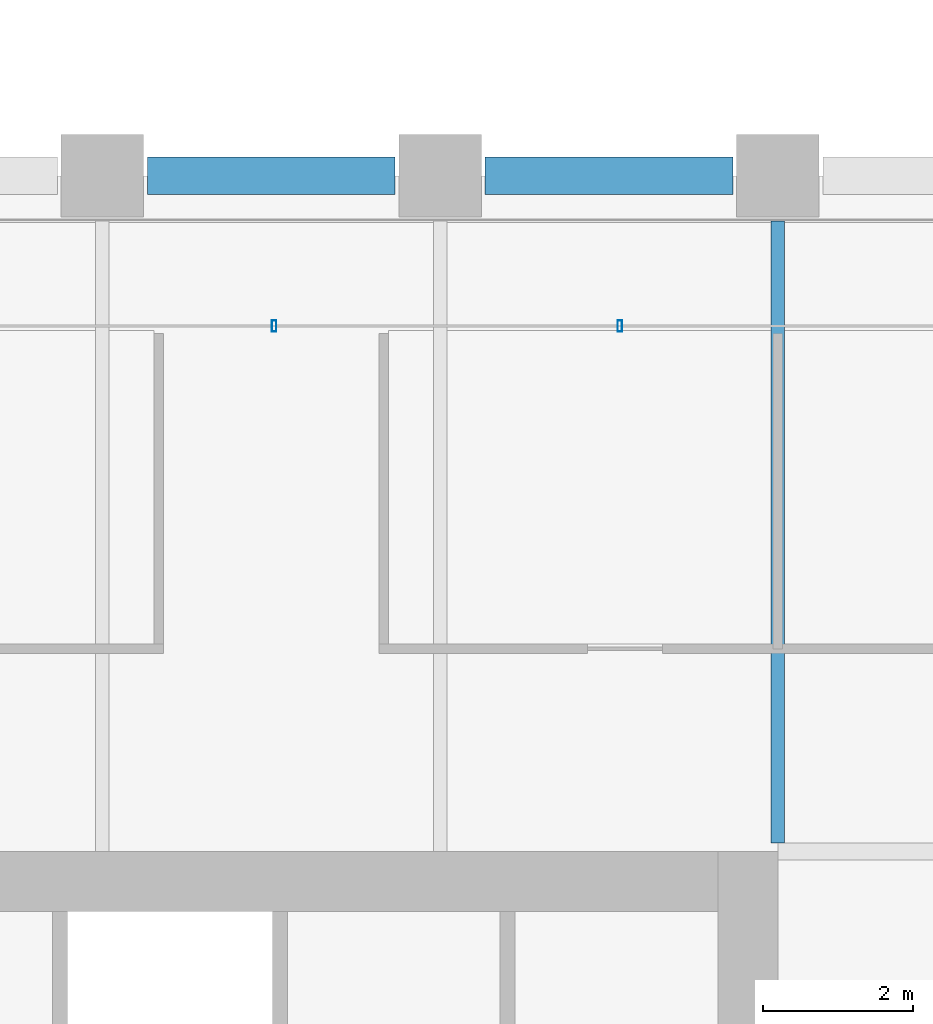
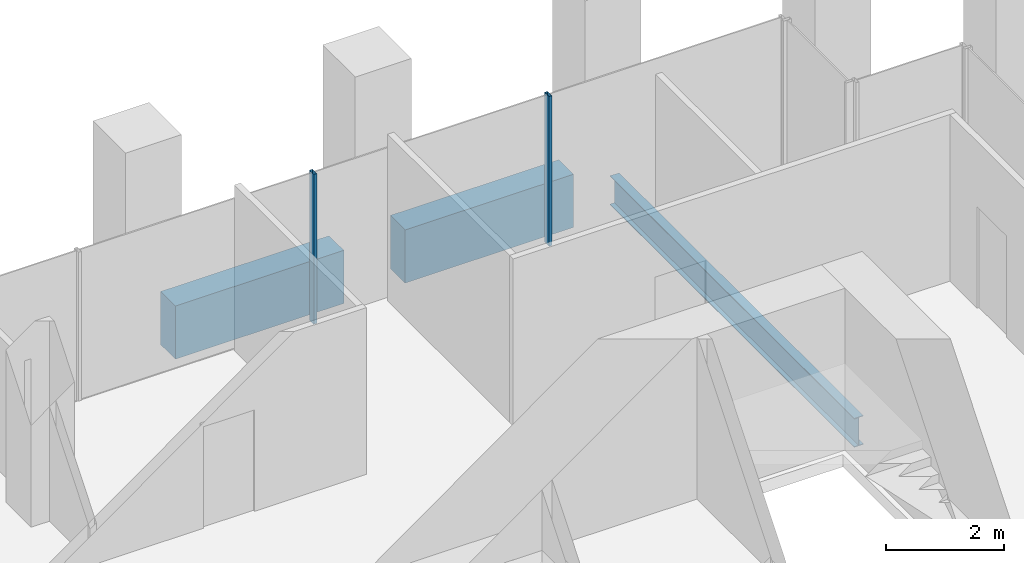
# One storey, part 43 of 55: 3 beams, 2 members, 1 element without a shape of its own.
"""IFC4 building model written with IfcOpenShell, lengths in metres."""

from ifc_helpers import new_model, si_unit, direction, frame, origin, origin_2d, place, context, subcontext, project, spatial, rectangle, hollow_rectangle, i_section, extrude, material, material_profile, profile_set, type_object, element, aggregate, save


model = new_model("IFC4")

# Units and contexts
model_context = context("Model", 3, precision=1e-05, world=origin(), true_north=direction((0.0, 1.0)))
body_context = subcontext(model_context, "Body", "Model", "MODEL_VIEW")
ifc_project = project(units=[si_unit("LENGTHUNIT", "METRE"), si_unit("AREAUNIT", "SQUARE_METRE"), si_unit("VOLUMEUNIT", "CUBIC_METRE"), si_unit("PLANEANGLEUNIT", "RADIAN"), si_unit("MASSUNIT", "GRAM", prefix="KILO")], contexts=[model_context])

# Site, building, storey
site_placement = place(None, origin())
site = spatial("IfcSite", under=ifc_project, at=site_placement, CompositionType="ELEMENT")
building_placement = place(site_placement, origin())
building = spatial("IfcBuilding", under=site, at=building_placement, Name="Altepetl Exchange Towers", CompositionType="ELEMENT")
storey_placement = place(building_placement, frame((0.0, 0.0, 47.39990234375)))
storey = spatial("IfcBuildingStorey", under=building, at=storey_placement, Name="L10", CompositionType="ELEMENT", Elevation=47.39990234375)

# Beam
ifc_material_1 = material(Name="Steel S355", Category="steel")
ifc_material_profile_1 = material_profile(ifc_material_1, i_section(OverallWidth=0.177978515625, OverallDepth=0.59912109375, WebThickness=0.010009765625, FlangeThickness=0.0126953125, at=origin_2d()), Name="W24X55")
ifc_profile_set_1 = profile_set([ifc_material_profile_1], Name="Steel S355")
beam_type_1 = type_object("IfcBeamType", Name="Floor beam W24X55", PredefinedType="BEAM", material=ifc_profile_set_1)
beam_placement = place(storey_placement, frame((117.0, 49.614013671875, -0.449462890625), z_axis=(0.0, 1.0, 0.0), x_axis=(-1.0, 0.0, 0.0)))
element("IfcBeam", 1, at=beam_placement, inside=storey, type_object=beam_type_1, Name="bm:B:L10:002", PredefinedType="BEAM", context=body_context, shape_type="SweptSolid", body=[
    extrude(i_section(OverallWidth=0.177978515625, OverallDepth=0.59912109375, WebThickness=0.010009765625, FlangeThickness=0.0126953125, at=origin_2d()), origin(), (0.0, 0.0, 1.0), 8.285888671875),
])

# Curtain wall, members
ifc_material_2 = material(Name="Aluminium 6063-T6 glazing", Category="aluminium")
curtain_wall_type = type_object("IfcCurtainWallType", Name="Loggia glazing system", PredefinedType="NOTDEFINED", material=ifc_material_2)
curtain_wall_placement = place(storey_placement, origin())
curtain_wall = element("IfcCurtainWall", 2, at=curtain_wall_placement, inside=storey, type_object=curtain_wall_type, Name="CW1 run", PredefinedType="NOTDEFINED")
ifc_material_3 = material(Name="Aluminium 6063-T6", Category="aluminium")
ifc_material_profile_2 = material_profile(ifc_material_3, hollow_rectangle(XDim=0.06005859375, YDim=0.14990234375, WallThickness=0.0029296875, at=origin_2d()), Name="Mullion 60x150 aluminium")
ifc_profile_set_2 = profile_set([ifc_material_profile_2], Name="Aluminium 6063-T6")
member_type = type_object("IfcMemberType", Name="Mullion 60x150 aluminium", PredefinedType="MULLION", material=ifc_profile_set_2)
member_1_placement = place(storey_placement, frame((114.893798828125, 56.5, 0.0), z_axis=(0.0, 0.0, 1.0), x_axis=(-1.0, 0.0, 0.0)))
member_1 = element("IfcMember", 3, at=member_1_placement, type_object=member_type, Name="MU1 mullion", PredefinedType="MULLION", context=body_context, shape_type="SweptSolid", body=[
    extrude(hollow_rectangle(XDim=0.06005859375, YDim=0.14990234375, WallThickness=0.0029296875, at=origin_2d()), origin(), (0.0, 0.0, 1.0), 3.10009765625),
])
member_2_placement = place(storey_placement, frame((110.28759765625, 56.5, 0.0), z_axis=(0.0, 0.0, 1.0), x_axis=(-1.0, 0.0, 0.0)))
member_2 = element("IfcMember", 4, at=member_2_placement, type_object=member_type, Name="MU1 mullion", PredefinedType="MULLION", context=body_context, shape_type="SweptSolid", body=[
    extrude(hollow_rectangle(XDim=0.06005859375, YDim=0.14990234375, WallThickness=0.0029296875, at=origin_2d()), origin(), (0.0, 0.0, 1.0), 3.10009765625),
])
aggregate(curtain_wall, [member_1, member_2])

# Beams
ifc_material_4 = material(Name="Concrete C50/60 precast with cantera amarilla facing", Category="concrete")
ifc_material_profile_3 = material_profile(ifc_material_4, rectangle(XDim=0.5, YDim=1.10009765625, at=origin_2d()), Name="500 x 1100")
ifc_profile_set_3 = profile_set([ifc_material_profile_3], Name="Concrete C50/60 precast with cantera amarilla facing")
beam_type_2 = type_object("IfcBeamType", Name="Spandrel beam 500x1100 cantera amarilla", PredefinedType="SPANDREL", material=ifc_profile_set_3)
for number, where, z_axis, x_axis, name in (
    (5, (116.39990234375, 58.5, -0.699951171875), (-1.0, 0.0, 0.0), (0.0, -1.0, 0.0), "sp:B:L10:019"),
    (6, (111.89990234375, 58.5, -0.699951171875), (-1.0, 0.0, 0.0), (0.0, -1.0, 0.0), "sp:B:L10:020"),
):
    element("IfcBeam", number, at=place(storey_placement, frame(where, z_axis=z_axis, x_axis=x_axis)), inside=storey, type_object=beam_type_2, Name=name, PredefinedType="SPANDREL", context=body_context, shape_type="SweptSolid", body=[
        extrude(rectangle(XDim=0.5, YDim=1.10009765625, at=origin_2d()), origin(), (0.0, 0.0, 1.0), 3.2998046875),
    ])

save(model, "model.ifc")
